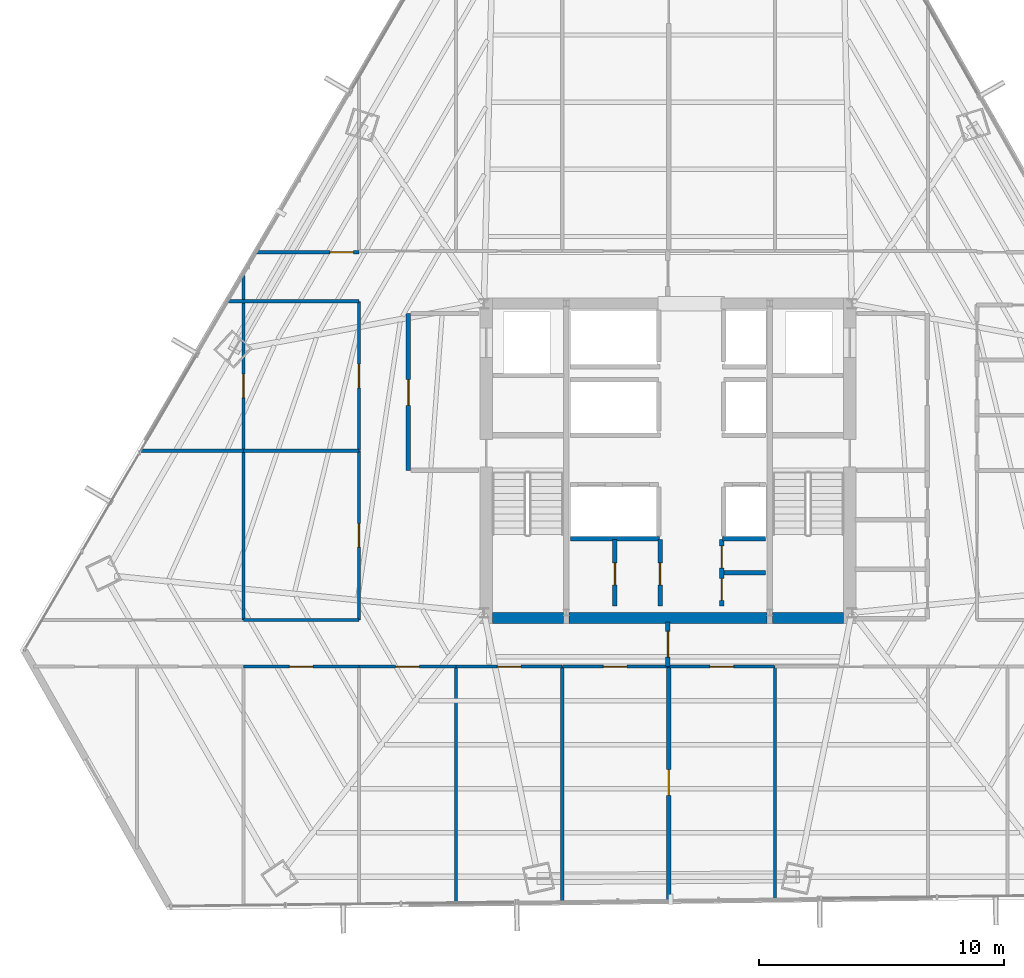
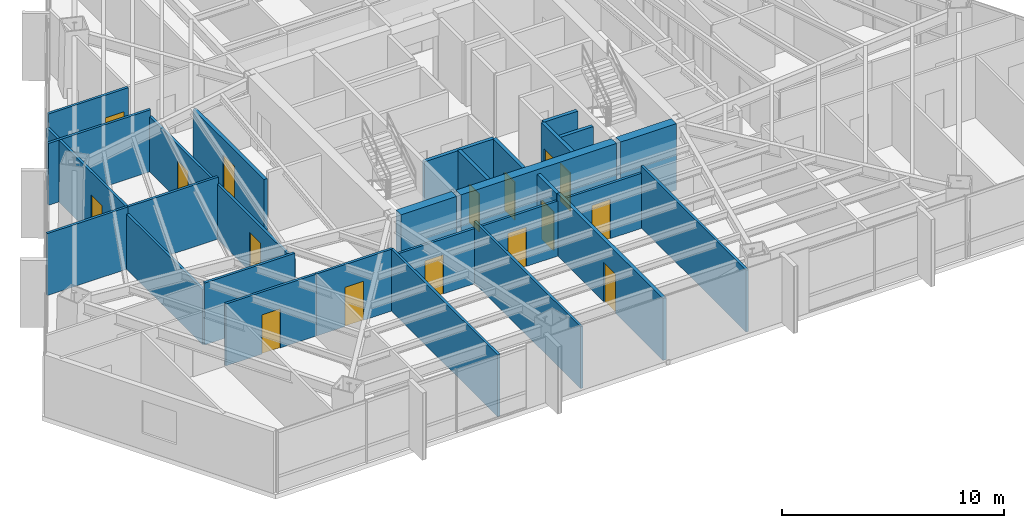
# One storey, part 31 of 37: 29 walls, 16 doors, 16 openings.
"""IFC4 building model written with IfcOpenShell, lengths in metres."""

import ifcopenshell
import ifcopenshell.guid

model = None  # the IFC model being written
_history = None  # IfcOwnerHistory: only IFC2X3 demands one
_inside = {}  # id of a spatial element -> (the spatial element, [elements in it])
_under = {}  # id of a project, library or spatial element -> (it, [spatial elements below it])
_declared = {}  # id of a project -> (the project, [libraries it declares])
_typed = {}  # id of a type object -> (the type object, [elements of that type])
_made_of = {}  # id of a material, layer set ... -> (it, [elements and type objects made of it])


def new_model(schema):
    """Start an empty IFC model of exactly this schema.

    Asked for "IFC4X3", IfcOpenShell would pick the latest addendum, in which some entities
    have other attributes; the version numbers below select the first issue.
    IFC2X3 requires an IfcOwnerHistory on every rooted entity: one is made here for all.
    """
    global model, _history
    if schema == "IFC4X3":
        model = ifcopenshell.file(schema_version=(4, 3, 0, 0))
    else:
        model = ifcopenshell.file(schema=schema)
    _inside.clear()
    _under.clear()
    _declared.clear()
    _typed.clear()
    _made_of.clear()
    _history = None
    if model.schema == "IFC2X3":
        org = make("IfcOrganization", Name="unknown")
        user = make(
            "IfcPersonAndOrganization",
            ThePerson=make("IfcPerson", FamilyName="unknown"),
            TheOrganization=org,
        )
        app = make(
            "IfcApplication",
            ApplicationDeveloper=org,
            Version="unknown",
            ApplicationFullName="unknown",
            ApplicationIdentifier="unknown",
        )
        _history = make(
            "IfcOwnerHistory",
            OwningUser=user,
            OwningApplication=app,
            ChangeAction="ADDED",
            CreationDate=0,
        )
    return model


def make(cls, **values):
    """One entity of the class cls with the attributes given. An attribute that is None is left unset."""
    return model.create_entity(
        cls, **{name: value for name, value in values.items() if value is not None}
    )


def rooted(cls, **values):
    """An entity with a GlobalId (a new one), such as an element, a storey or a relation."""
    return make(cls, GlobalId=ifcopenshell.guid.new(), OwnerHistory=_history, **values)


def si_unit(unit_type, name, prefix=None):
    """IfcSIUnit, for example si_unit("LENGTHUNIT", "METRE", prefix="MILLI")."""
    return make("IfcSIUnit", UnitType=unit_type, Prefix=prefix, Name=name)


def assignment(units):
    """IfcUnitAssignment: the units of a project."""
    return None if units is None else make("IfcUnitAssignment", Units=units)


def point(xyz):
    """IfcCartesianPoint."""
    return None if xyz is None else make("IfcCartesianPoint", Coordinates=xyz)


def direction(xyz):
    """IfcDirection."""
    return None if xyz is None else make("IfcDirection", DirectionRatios=xyz)


def frame(location, z_axis=None, x_axis=None):
    """IfcAxis2Placement3D, a coordinate frame: its origin and axes. An axis left out is left unset."""
    return make(
        "IfcAxis2Placement3D",
        Location=point(location),
        Axis=direction(z_axis),
        RefDirection=direction(x_axis),
    )


def frame_2d(location, x_axis=None):
    """IfcAxis2Placement2D, a coordinate frame in the plane: its origin and x axis."""
    return make(
        "IfcAxis2Placement2D", Location=point(location), RefDirection=direction(x_axis)
    )


def origin():
    """The frame at (0, 0, 0) with its axes left unset."""
    return frame((0.0, 0.0, 0.0))


def place(relative_to, where):
    """IfcLocalPlacement: puts the frame where relative to a parent placement (None: the world)."""
    return make(
        "IfcLocalPlacement", PlacementRelTo=relative_to, RelativePlacement=where
    )


def context(
    kind, dimensions, precision=None, world=None, true_north=None, identifier=None
):
    """IfcGeometricRepresentationContext, for example the 3D "Model" context."""
    return make(
        "IfcGeometricRepresentationContext",
        ContextIdentifier=identifier,
        ContextType=kind,
        CoordinateSpaceDimension=dimensions,
        Precision=precision,
        WorldCoordinateSystem=world,
        TrueNorth=true_north,
    )


def subcontext(parent, identifier, kind, view, scale=None):
    """IfcGeometricRepresentationSubContext, for example "Body" below "Model"."""
    return make(
        "IfcGeometricRepresentationSubContext",
        ContextIdentifier=identifier,
        ContextType=kind,
        ParentContext=parent,
        TargetScale=scale,
        TargetView=view,
    )


def project(units=None, contexts=None):
    """IfcProject with its units and contexts."""
    return rooted(
        "IfcProject",
        Name="project",
        RepresentationContexts=contexts,
        UnitsInContext=assignment(units),
    )


def spatial(cls, under=None, at=None, **own):
    """A site, building, storey or space (cls), placed at a placement, below another one or the project."""
    s = rooted(cls, ObjectPlacement=at, **own)
    if under is not None:
        _under.setdefault(under.id(), (under, []))[1].append(s)
    return s


def profile(cls, at=None, kind="AREA", **sizes):
    """A parametric profile (cls). Its sizes go by their IFC names, for example OverallWidth=200.0."""
    return make(cls, ProfileType=kind, Position=at, **sizes)


def rectangle(**sizes):
    """IfcRectangleProfileDef."""
    return profile("IfcRectangleProfileDef", **sizes)


def extrude(swept, where, along, depth):
    """IfcExtrudedAreaSolid: the profile swept, set in the frame where, extruded along a direction by depth."""
    return make(
        "IfcExtrudedAreaSolid",
        SweptArea=swept,
        Position=where,
        ExtrudedDirection=direction(along),
        Depth=depth,
    )


def shape(context_of_items, identifier, shape_type, items):
    """IfcShapeRepresentation: the items that make up one representation, for example the "Body"."""
    return make(
        "IfcShapeRepresentation",
        ContextOfItems=context_of_items,
        RepresentationIdentifier=identifier,
        RepresentationType=shape_type,
        Items=items,
    )


def material(Name=None, Category=None):
    """IfcMaterial."""
    return make("IfcMaterial", Name=Name, Category=Category)


def layer(
    of_material, thickness, ventilated=None, Name=None, Category=None, Priority=None
):
    """IfcMaterialLayer: one layer of a wall or slab, of a material (None: an air gap)."""
    return make(
        "IfcMaterialLayer",
        Material=of_material,
        LayerThickness=thickness,
        IsVentilated=ventilated,
        Name=Name,
        Category=Category,
        Priority=Priority,
    )


def layer_set(layers, Name=None):
    """IfcMaterialLayerSet."""
    return make("IfcMaterialLayerSet", MaterialLayers=layers, LayerSetName=Name)


def made_of(thing, what):
    """Note that an element or type object is made of a material, layer set ...; save() writes the relation."""
    if what is not None:
        _made_of.setdefault(what.id(), (what, []))[1].append(thing)
    return thing


def type_object(cls, material=None, **own):
    """A type object (cls), such as IfcWallType, which elements share."""
    return made_of(rooted(cls, **own), material)


def element(
    cls,
    number,
    at=None,
    inside=None,
    cuts=None,
    type_object=None,
    material=None,
    context=None,
    identifier="Body",
    shape_type=None,
    held_by="IfcProductDefinitionShape",
    body=None,
    shapes=None,
    **own,
):
    """One element of the class cls, such as IfcWall. Its Tag is "e" and its number.

    at: its placement. inside: the storey or other place that contains it. cuts: it is an
    opening in that element (IfcRelVoidsElement). A single representation is given by context,
    identifier, shape_type and body (its items); several are given by shapes. held_by: the class
    of the entity that holds the representations. save() writes the other relations.
    """
    e = rooted(cls, Tag="e%d" % number, ObjectPlacement=at, **own)
    if body is not None:
        shapes = [shape(context, identifier, shape_type, body)]
    if shapes is not None:
        e.Representation = make(held_by, Representations=shapes)
    if inside is not None:
        _inside.setdefault(inside.id(), (inside, []))[1].append(e)
    if cuts is not None:
        rooted(
            "IfcRelVoidsElement", RelatingBuildingElement=cuts, RelatedOpeningElement=e
        )
    if type_object is not None:
        _typed.setdefault(type_object.id(), (type_object, []))[1].append(e)
    return made_of(e, material)


def fill(opening, filler):
    """IfcRelFillsElement: the door or window that sits in an opening."""
    return rooted(
        "IfcRelFillsElement",
        RelatingOpeningElement=opening,
        RelatedBuildingElement=filler,
    )


def aggregate(whole, parts):
    """IfcRelAggregates: a whole, such as a stair, and the parts it consists of."""
    return rooted("IfcRelAggregates", RelatingObject=whole, RelatedObjects=parts)


def save(model, path):
    """Write the relations noted so far, then the file.

    IfcRelAggregates (storeys below a building ...), IfcRelContainedInSpatialStructure (elements
    in a storey), IfcRelDefinesByType, IfcRelAssociatesMaterial and IfcRelDeclares: one each for
    every whole, place, type object, material and project.
    """
    for whole, parts in _under.values():
        aggregate(whole, parts)
    for where, things in _inside.values():
        rooted(
            "IfcRelContainedInSpatialStructure",
            RelatedElements=things,
            RelatingStructure=where,
        )
    for kind, things in _typed.values():
        rooted("IfcRelDefinesByType", RelatedObjects=things, RelatingType=kind)
    for what, things in _made_of.values():
        rooted("IfcRelAssociatesMaterial", RelatedObjects=things, RelatingMaterial=what)
    for by, libraries in _declared.values():
        rooted("IfcRelDeclares", RelatingContext=by, RelatedDefinitions=libraries)
    model.write(path)


model = new_model("IFC4")

# Units and contexts
model_context = context("Model", 3, precision=1e-05, world=origin(), true_north=direction((0.0, 1.0)))
body_context = subcontext(model_context, "Body", "Model", "MODEL_VIEW")
ifc_project = project(units=[si_unit("LENGTHUNIT", "METRE"), si_unit("AREAUNIT", "SQUARE_METRE"), si_unit("VOLUMEUNIT", "CUBIC_METRE"), si_unit("PLANEANGLEUNIT", "RADIAN"), si_unit("MASSUNIT", "GRAM", prefix="KILO")], contexts=[model_context])

# Site, building, storey
site_placement = place(None, origin())
site = spatial("IfcSite", under=ifc_project, at=site_placement, CompositionType="ELEMENT")
building_placement = place(site_placement, origin())
building = spatial("IfcBuilding", under=site, at=building_placement, Name="Caelisora Broadcast Tower", CompositionType="ELEMENT")
storey_placement = place(building_placement, frame((0.0, 0.0, 116.35009765625)))
storey = spatial("IfcBuildingStorey", under=building, at=storey_placement, Name="L30", CompositionType="ELEMENT", Elevation=116.35009765625)

# Walls
ifc_material_1 = material(Name="Concrete 50 MPa (AS 3600 S50)", Category="concrete")
ifc_layer_1 = layer(ifc_material_1, 0.449951171875, Name="Concrete 50 MPa (AS 3600 S50)")
ifc_layer_set_1 = layer_set([ifc_layer_1], Name="Concrete 50 MPa (AS 3600 S50)")
wall_type_1 = type_object("IfcWallType", Name="CW5", PredefinedType="SHEAR", material=ifc_layer_set_1)
wall_1_placement = place(storey_placement, frame((30.840087890625, 17.175048828125, 0.0), z_axis=(0.0, 0.0, 1.0), x_axis=(1.0, 0.0, 0.0)))
element("IfcWall", 1, at=wall_1_placement, inside=storey, type_object=wall_type_1, Name="L30 core shear wall CW5", PredefinedType="SHEAR", context=body_context, shape_type="SweptSolid", body=[
    extrude(rectangle(XDim=2.89990234375, YDim=0.449951171875, at=frame_2d((1.449951171875, 0.0))), origin(), (0.0, 0.0, 1.0), 3.64990234375),
])
wall_2_placement = place(storey_placement, frame((33.9599609375, 17.175048828125, 0.0), z_axis=(0.0, 0.0, 1.0), x_axis=(1.0, 0.0, 0.0)))
element("IfcWall", 2, at=wall_2_placement, inside=storey, type_object=wall_type_1, Name="L30 core shear wall CW5", PredefinedType="SHEAR", context=body_context, shape_type="SweptSolid", body=[
    extrude(rectangle(XDim=8.080078125, YDim=0.449951171875, at=frame_2d((4.0400390625, 0.0))), origin(), (0.0, 0.0, 1.0), 3.64990234375),
])
wall_3_placement = place(storey_placement, frame((42.260009765625, 17.175048828125, 0.0), z_axis=(0.0, 0.0, 1.0), x_axis=(1.0, 0.0, 0.0)))
element("IfcWall", 3, at=wall_3_placement, inside=storey, type_object=wall_type_1, Name="L30 core shear wall CW5", PredefinedType="SHEAR", context=body_context, shape_type="SweptSolid", body=[
    extrude(rectangle(XDim=2.89990234375, YDim=0.449951171875, at=frame_2d((1.449951171875, 0.0))), origin(), (0.0, 0.0, 1.0), 3.64990234375),
])

# Wall, opening, door
ifc_material_2 = material(Name="Fire-Rated Gypsum Shaft and Compartment Wall", Category="gypsum")
ifc_layer_2 = layer(ifc_material_2, 0.179931640625, Name="Fire-Rated Gypsum Shaft and Compartment Wall")
ifc_layer_set_2 = layer_set([ifc_layer_2], Name="Fire-Rated Gypsum Shaft and Compartment Wall")
wall_type_2 = type_object("IfcWallType", Name="PW2", PredefinedType="PARTITIONING", material=ifc_layer_set_2)
wall_4_placement = place(storey_placement, frame((27.419921875, 23.199951171875, 0.0), z_axis=(0.0, 0.0, 1.0), x_axis=(0.0, 1.0, 0.0)))
wall_4 = element("IfcWall", 4, at=wall_4_placement, inside=storey, type_object=wall_type_2, Name="L30 fire compartment wall PW2", PredefinedType="PARTITIONING", context=body_context, shape_type="SweptSolid", body=[
    extrude(rectangle(XDim=6.400146484375, YDim=0.179931640625, at=frame_2d((3.2001953125, 0.0))), origin(), (0.0, 0.0, 1.0), 3.0263671875),
])
opening_1_placement = place(wall_4_placement, frame((2.64990234375, 0.0, 0.0)))
opening_1 = element("IfcOpeningElement", 5, at=opening_1_placement, cuts=wall_4, Name="Opening FD02", PredefinedType="OPENING", context=body_context, shape_type="SweptSolid", body=[
    extrude(rectangle(XDim=1.050048828125, YDim=2.14990234375, at=frame_2d((0.52490234375, 1.074951171875))), frame((0.0, 0.10205078125, 0.0), z_axis=(0.0, -1.0, 0.0), x_axis=(1.0, 0.0, 0.0)), (0.0, 0.0, 1.0), 0.203857421875),
])
ifc_material_3 = material(Name="Single-Leaf Steel Fire Lobby Door", Category="steel")
door_type_1 = type_object("IfcDoorType", Name="FD02", OperationType="NOTDEFINED", PredefinedType="DOOR", material=ifc_material_3)
door_1_placement = place(opening_1_placement, origin())
door_1 = element("IfcDoor", 6, at=door_1_placement, inside=storey, type_object=door_type_1, Name="L30 door FD02 (L30-DR-P01D1)", OperationType="SINGLE_SWING_LEFT", OverallHeight=2.14990234375, OverallWidth=1.050048828125, PredefinedType="DOOR", context=body_context, shape_type="SweptSolid", body=[
    extrude(rectangle(XDim=1.050048828125, YDim=2.14990234375, at=frame_2d((0.52490234375, 1.074951171875))), frame((0.0, 0.02490234375, 0.0), z_axis=(0.0, -1.0, 0.0), x_axis=(1.0, 0.0, 0.0)), (0.0, 0.0, 1.0), 0.050048828125),
])
fill(opening_1, door_1)

# Walls
wall_5_placement = place(storey_placement, frame((34.02001953125, 20.419921875, 0.0), z_axis=(0.0, 0.0, 1.0), x_axis=(1.0, 0.0, 0.0)))
element("IfcWall", 7, at=wall_5_placement, inside=storey, type_object=wall_type_2, Name="L30 fire compartment wall PW2", PredefinedType="PARTITIONING", context=body_context, shape_type="SweptSolid", body=[
    extrude(rectangle(XDim=3.639892578125, YDim=0.179931640625, at=frame_2d((1.81982421875, 0.0))), origin(), (0.0, 0.0, 1.0), 3.39990234375),
])
wall_6_placement = place(storey_placement, frame((40.219970703125, 20.419921875, 0.0), z_axis=(0.0, 0.0, 1.0), x_axis=(1.0, 0.0, 0.0)))
element("IfcWall", 8, at=wall_6_placement, inside=storey, type_object=wall_type_2, Name="L30 fire compartment wall PW2", PredefinedType="PARTITIONING", context=body_context, shape_type="SweptSolid", body=[
    extrude(rectangle(XDim=1.760009765625, YDim=0.179931640625, at=frame_2d((0.8798828125, 0.0))), origin(), (0.0, 0.0, 1.0), 3.39990234375),
])

# Wall, opening, door
wall_7_placement = place(storey_placement, frame((35.840087890625, 17.679931640625, 0.0), z_axis=(0.0, 0.0, 1.0), x_axis=(0.0, 1.0, 0.0)))
wall_7 = element("IfcWall", 9, at=wall_7_placement, inside=storey, type_object=wall_type_2, Name="L30 fire compartment wall PW2", PredefinedType="PARTITIONING", context=body_context, shape_type="SweptSolid", body=[
    extrude(rectangle(XDim=2.699951171875, YDim=0.179931640625, at=frame_2d((1.35009765625, 0.0))), origin(), (0.0, 0.0, 1.0), 3.39990234375),
])
opening_2_placement = place(wall_7_placement, frame((0.85009765625, 0.0, 0.0)))
opening_2 = element("IfcOpeningElement", 10, at=opening_2_placement, cuts=wall_7, Name="Opening FD03", PredefinedType="OPENING", context=body_context, shape_type="SweptSolid", body=[
    extrude(rectangle(XDim=0.89990234375, YDim=2.10009765625, at=frame_2d((0.449951171875, 1.050048828125))), frame((0.0, 0.10205078125, 0.0), z_axis=(0.0, -1.0, 0.0), x_axis=(1.0, 0.0, 0.0)), (0.0, 0.0, 1.0), 0.203857421875),
])
ifc_material_4 = material(Name="Single-Leaf Steel Riser Fire Access Door", Category="steel")
door_type_2 = type_object("IfcDoorType", Name="FD03", OperationType="NOTDEFINED", PredefinedType="DOOR", material=ifc_material_4)
door_2_placement = place(opening_2_placement, origin())
door_2 = element("IfcDoor", 11, at=door_2_placement, inside=storey, type_object=door_type_2, Name="L30 door FD03 (L30-DR-P11D1)", OperationType="SINGLE_SWING_LEFT", OverallHeight=2.10009765625, OverallWidth=0.89990234375, PredefinedType="DOOR", context=body_context, shape_type="SweptSolid", body=[
    extrude(rectangle(XDim=0.89990234375, YDim=2.10009765625, at=frame_2d((0.449951171875, 1.050048828125))), frame((0.0, 0.02490234375, 0.0), z_axis=(0.0, -1.0, 0.0), x_axis=(1.0, 0.0, 0.0)), (0.0, 0.0, 1.0), 0.050048828125),
])
fill(opening_2, door_2)

wall_8_placement = place(storey_placement, frame((37.679931640625, 17.679931640625, 0.0), z_axis=(0.0, 0.0, 1.0), x_axis=(0.0, 1.0, 0.0)))
wall_8 = element("IfcWall", 12, at=wall_8_placement, inside=storey, type_object=wall_type_2, Name="L30 fire compartment wall PW2", PredefinedType="PARTITIONING", context=body_context, shape_type="SweptSolid", body=[
    extrude(rectangle(XDim=2.699951171875, YDim=0.179931640625, at=frame_2d((1.35009765625, 0.0))), origin(), (0.0, 0.0, 1.0), 3.39990234375),
])
opening_3_placement = place(wall_8_placement, frame((0.85009765625, 0.0, 0.0)))
opening_3 = element("IfcOpeningElement", 13, at=opening_3_placement, cuts=wall_8, Name="Opening FD03", PredefinedType="OPENING", context=body_context, shape_type="SweptSolid", body=[
    extrude(rectangle(XDim=0.89990234375, YDim=2.10009765625, at=frame_2d((0.449951171875, 1.050048828125))), frame((0.0, 0.10205078125, 0.0), z_axis=(0.0, -1.0, 0.0), x_axis=(1.0, 0.0, 0.0)), (0.0, 0.0, 1.0), 0.203857421875),
])
door_3_placement = place(opening_3_placement, origin())
door_3 = element("IfcDoor", 14, at=door_3_placement, inside=storey, type_object=door_type_2, Name="L30 door FD03 (L30-DR-P12D1)", OperationType="SINGLE_SWING_RIGHT", OverallHeight=2.10009765625, OverallWidth=0.89990234375, PredefinedType="DOOR", context=body_context, shape_type="SweptSolid", body=[
    extrude(rectangle(XDim=0.89990234375, YDim=2.10009765625, at=frame_2d((0.449951171875, 1.050048828125))), frame((0.0, 0.02490234375, 0.0), z_axis=(0.0, -1.0, 0.0), x_axis=(1.0, 0.0, 0.0)), (0.0, 0.0, 1.0), 0.050048828125),
])
fill(opening_3, door_3)

# Wall
wall_9_placement = place(storey_placement, frame((40.280029296875, 19.02001953125, 0.0), z_axis=(0.0, 0.0, 1.0), x_axis=(1.0, 0.0, 0.0)))
element("IfcWall", 15, at=wall_9_placement, inside=storey, type_object=wall_type_2, Name="L30 fire compartment wall PW2", PredefinedType="PARTITIONING", context=body_context, shape_type="SweptSolid", body=[
    extrude(rectangle(XDim=1.699951171875, YDim=0.179931640625, at=frame_2d((0.85009765625, 0.0))), origin(), (0.0, 0.0, 1.0), 3.39990234375),
])

# Wall, openings, doors
wall_10_placement = place(storey_placement, frame((40.199951171875, 17.679931640625, 0.0), z_axis=(0.0, 0.0, 1.0), x_axis=(0.0, 1.0, 0.0)))
wall_10 = element("IfcWall", 16, at=wall_10_placement, inside=storey, type_object=wall_type_2, Name="L30 fire compartment wall PW2", PredefinedType="PARTITIONING", context=body_context, shape_type="SweptSolid", body=[
    extrude(rectangle(XDim=2.699951171875, YDim=0.179931640625, at=frame_2d((1.35009765625, 0.0))), origin(), (0.0, 0.0, 1.0), 3.39990234375),
])
opening_4_placement = place(wall_10_placement, frame((0.219970703125, 0.0, 0.0)))
opening_4 = element("IfcOpeningElement", 17, at=opening_4_placement, cuts=wall_10, Name="Opening FD03", PredefinedType="OPENING", context=body_context, shape_type="SweptSolid", body=[
    extrude(rectangle(XDim=0.89990234375, YDim=2.10009765625, at=frame_2d((0.449951171875, 1.050048828125))), frame((0.0, 0.10205078125, 0.0), z_axis=(0.0, -1.0, 0.0), x_axis=(1.0, 0.0, 0.0)), (0.0, 0.0, 1.0), 0.203857421875),
])
opening_5_placement = place(wall_10_placement, frame((1.5400390625, 0.0, 0.0)))
opening_5 = element("IfcOpeningElement", 18, at=opening_5_placement, cuts=wall_10, Name="Opening FD03", PredefinedType="OPENING", context=body_context, shape_type="SweptSolid", body=[
    extrude(rectangle(XDim=0.89990234375, YDim=2.10009765625, at=frame_2d((0.449951171875, 1.050048828125))), frame((0.0, 0.10205078125, 0.0), z_axis=(0.0, -1.0, 0.0), x_axis=(1.0, 0.0, 0.0)), (0.0, 0.0, 1.0), 0.203857421875),
])
door_4_placement = place(opening_4_placement, origin())
door_4 = element("IfcDoor", 19, at=door_4_placement, inside=storey, type_object=door_type_2, Name="L30 door FD03 (L30-DR-P14D1)", OperationType="SINGLE_SWING_LEFT", OverallHeight=2.10009765625, OverallWidth=0.89990234375, PredefinedType="DOOR", context=body_context, shape_type="SweptSolid", body=[
    extrude(rectangle(XDim=0.89990234375, YDim=2.10009765625, at=frame_2d((0.449951171875, 1.050048828125))), frame((0.0, 0.02490234375, 0.0), z_axis=(0.0, -1.0, 0.0), x_axis=(1.0, 0.0, 0.0)), (0.0, 0.0, 1.0), 0.050048828125),
])
fill(opening_4, door_4)
door_5_placement = place(opening_5_placement, origin())
door_5 = element("IfcDoor", 20, at=door_5_placement, inside=storey, type_object=door_type_2, Name="L30 door FD03 (L30-DR-P14D2)", OperationType="SINGLE_SWING_RIGHT", OverallHeight=2.10009765625, OverallWidth=0.89990234375, PredefinedType="DOOR", context=body_context, shape_type="SweptSolid", body=[
    extrude(rectangle(XDim=0.89990234375, YDim=2.10009765625, at=frame_2d((0.449951171875, 1.050048828125))), frame((0.0, 0.02490234375, 0.0), z_axis=(0.0, -1.0, 0.0), x_axis=(1.0, 0.0, 0.0)), (0.0, 0.0, 1.0), 0.050048828125),
])
fill(opening_5, door_5)

# Wall, opening, door
wall_11_placement = place(storey_placement, frame((38.030029296875, 5.672119140625, 0.0), z_axis=(0.0, 0.0, 1.0), x_axis=(0.0, 1.0, 0.0)))
wall_11 = element("IfcWall", 21, at=wall_11_placement, inside=storey, type_object=wall_type_2, Name="L30 fire compartment wall PW2", PredefinedType="PARTITIONING", context=body_context, shape_type="SweptSolid", body=[
    extrude(rectangle(XDim=9.52294921875, YDim=0.179931640625, at=frame_2d((4.761474609375, 0.0))), origin(), (0.0, 0.0, 1.0), 3.39990234375),
])
opening_6_placement = place(wall_11_placement, frame((4.281982421875, 0.0, 0.0)))
opening_6 = element("IfcOpeningElement", 22, at=opening_6_placement, cuts=wall_11, Name="Opening FD02", PredefinedType="OPENING", context=body_context, shape_type="SweptSolid", body=[
    extrude(rectangle(XDim=1.050048828125, YDim=2.14990234375, at=frame_2d((0.52490234375, 1.074951171875))), frame((0.0, 0.10205078125, 0.0), z_axis=(0.0, -1.0, 0.0), x_axis=(1.0, 0.0, 0.0)), (0.0, 0.0, 1.0), 0.203857421875),
])
door_6_placement = place(opening_6_placement, origin())
door_6 = element("IfcDoor", 23, at=door_6_placement, inside=storey, type_object=door_type_1, Name="L30 door FD02 (L30-DR-P40D1)", OperationType="SINGLE_SWING_LEFT", OverallHeight=2.14990234375, OverallWidth=1.050048828125, PredefinedType="DOOR", context=body_context, shape_type="SweptSolid", body=[
    extrude(rectangle(XDim=1.050048828125, YDim=2.14990234375, at=frame_2d((0.52490234375, 1.074951171875))), frame((0.0, 0.02490234375, 0.0), z_axis=(0.0, -1.0, 0.0), x_axis=(1.0, 0.0, 0.0)), (0.0, 0.0, 1.0), 0.050048828125),
])
fill(opening_6, door_6)

wall_12_placement = place(storey_placement, frame((38.0, 15.205078125, 0.0), z_axis=(0.0, 0.0, 1.0), x_axis=(0.0, 1.0, 0.0)))
wall_12 = element("IfcWall", 24, at=wall_12_placement, inside=storey, type_object=wall_type_2, Name="L30 fire compartment wall PW2", PredefinedType="PARTITIONING", context=body_context, shape_type="SweptSolid", body=[
    extrude(rectangle(XDim=1.81982421875, YDim=0.179931640625, at=frame_2d((0.909912109375, 0.0))), origin(), (0.0, 0.0, 1.0), 3.39990234375),
])
opening_7_placement = place(wall_12_placement, frame((0.385009765625, 0.0, 0.0)))
opening_7 = element("IfcOpeningElement", 25, at=opening_7_placement, cuts=wall_12, Name="Opening FD02", PredefinedType="OPENING", context=body_context, shape_type="SweptSolid", body=[
    extrude(rectangle(XDim=1.050048828125, YDim=2.14990234375, at=frame_2d((0.52490234375, 1.074951171875))), frame((0.0, 0.10205078125, 0.0), z_axis=(0.0, -1.0, 0.0), x_axis=(1.0, 0.0, 0.0)), (0.0, 0.0, 1.0), 0.203857421875),
])
door_7_placement = place(opening_7_placement, origin())
door_7 = element("IfcDoor", 26, at=door_7_placement, inside=storey, type_object=door_type_1, Name="L30 door FD02 (L30-DR-P83D1)", OperationType="SINGLE_SWING_LEFT", OverallHeight=2.14990234375, OverallWidth=1.050048828125, PredefinedType="DOOR", context=body_context, shape_type="SweptSolid", body=[
    extrude(rectangle(XDim=1.050048828125, YDim=2.14990234375, at=frame_2d((0.52490234375, 1.074951171875))), frame((0.0, 0.02490234375, 0.0), z_axis=(0.0, -1.0, 0.0), x_axis=(1.0, 0.0, 0.0)), (0.0, 0.0, 1.0), 0.050048828125),
])
fill(opening_7, door_7)

# Walls
ifc_material_5 = material(Name="Acoustic Steel-Stud Plasterboard Partition", Category="gypsum")
ifc_layer_3 = layer(ifc_material_5, 0.1298828125, Name="Acoustic Steel-Stud Plasterboard Partition")
ifc_layer_set_3 = layer_set([ifc_layer_3], Name="Acoustic Steel-Stud Plasterboard Partition")
wall_type_3 = type_object("IfcWallType", Name="PW3", PredefinedType="PARTITIONING", material=ifc_layer_set_3)
wall_13_placement = place(storey_placement, frame((29.360107421875, 5.564697265625, 0.0), z_axis=(0.0, 0.0, 1.0), x_axis=(0.0, 1.0, 0.0)))
element("IfcWall", 27, at=wall_13_placement, inside=storey, type_object=wall_type_3, Name="L30 internal partition PW3", PredefinedType="PARTITIONING", context=body_context, shape_type="SweptSolid", body=[
    extrude(rectangle(XDim=9.63037109375, YDim=0.1298828125, at=frame_2d((4.815185546875, 0.0))), origin(), (0.0, 0.0, 1.0), 3.39990234375),
])
wall_14_placement = place(storey_placement, frame((33.68994140625, 5.618408203125, 0.0), z_axis=(0.0, 0.0, 1.0), x_axis=(0.0, 1.0, 0.0)))
element("IfcWall", 28, at=wall_14_placement, inside=storey, type_object=wall_type_3, Name="L30 internal partition PW3", PredefinedType="PARTITIONING", context=body_context, shape_type="SweptSolid", body=[
    extrude(rectangle(XDim=9.57666015625, YDim=0.1298828125, at=frame_2d((4.788330078125, 0.0))), origin(), (0.0, 0.0, 1.0), 3.39990234375),
])
wall_15_placement = place(storey_placement, frame((42.360107421875, 5.7255859375, 0.0), z_axis=(0.0, 0.0, 1.0), x_axis=(0.0, 1.0, 0.0)))
element("IfcWall", 29, at=wall_15_placement, inside=storey, type_object=wall_type_3, Name="L30 internal partition PW3", PredefinedType="PARTITIONING", context=body_context, shape_type="SweptSolid", body=[
    extrude(rectangle(XDim=9.469482421875, YDim=0.1298828125, at=frame_2d((4.73486328125, 0.0))), origin(), (0.0, 0.0, 1.0), 3.39990234375),
])

# Wall, opening, door
wall_16_placement = place(storey_placement, frame((25.39990234375, 17.10498046875, 0.0), z_axis=(0.0, 0.0, 1.0), x_axis=(0.0, 1.0, 0.0)))
wall_16 = element("IfcWall", 30, at=wall_16_placement, inside=storey, type_object=wall_type_3, Name="L30 internal partition PW3", PredefinedType="PARTITIONING", context=body_context, shape_type="SweptSolid", body=[
    extrude(rectangle(XDim=6.89013671875, YDim=0.1298828125, at=frame_2d((3.445068359375, 0.0))), origin(), (0.0, 0.0, 1.0), 3.0263671875),
])
opening_8_placement = place(wall_16_placement, frame((2.965087890625, 0.0, 0.0)))
opening_8 = element("IfcOpeningElement", 31, at=opening_8_placement, cuts=wall_16, Name="Opening D01", PredefinedType="OPENING", context=body_context, shape_type="SweptSolid", body=[
    extrude(rectangle(XDim=0.9599609375, YDim=2.14990234375, at=frame_2d((0.47998046875, 1.074951171875))), frame((0.0, 0.076904296875, 0.0), z_axis=(0.0, -1.0, 0.0), x_axis=(1.0, 0.0, 0.0)), (0.0, 0.0, 1.0), 0.15380859375),
])
ifc_material_6 = material(Name="Solid-Core Timber Acoustic Office Door", Category="wood")
door_type_3 = type_object("IfcDoorType", Name="D01", OperationType="NOTDEFINED", PredefinedType="DOOR", material=ifc_material_6)
door_8_placement = place(opening_8_placement, origin())
door_8 = element("IfcDoor", 32, at=door_8_placement, inside=storey, type_object=door_type_3, Name="L30 door D01 (L30-DR-P50D1)", OperationType="SINGLE_SWING_RIGHT", OverallHeight=2.14990234375, OverallWidth=0.9599609375, PredefinedType="DOOR", context=body_context, shape_type="SweptSolid", body=[
    extrude(rectangle(XDim=0.9599609375, YDim=2.14990234375, at=frame_2d((0.47998046875, 1.074951171875))), frame((0.0, 0.02490234375, 0.0), z_axis=(0.0, -1.0, 0.0), x_axis=(1.0, 0.0, 0.0)), (0.0, 0.0, 1.0), 0.050048828125),
])
fill(opening_8, door_8)

# Wall
wall_17_placement = place(storey_placement, frame((20.68994140625, 17.10498046875, 0.0), z_axis=(0.0, 0.0, 1.0), x_axis=(0.0, 1.0, 0.0)))
element("IfcWall", 33, at=wall_17_placement, inside=storey, type_object=wall_type_3, Name="L30 internal partition PW3", PredefinedType="PARTITIONING", context=body_context, shape_type="SweptSolid", body=[
    extrude(rectangle(XDim=6.89013671875, YDim=0.1298828125, at=frame_2d((3.445068359375, 0.0))), origin(), (0.0, 0.0, 1.0), 3.0263671875),
])

# Wall, opening, door
wall_18_placement = place(storey_placement, frame((25.39990234375, 24.0048828125, 0.0), z_axis=(0.0, 0.0, 1.0), x_axis=(0.0, 1.0, 0.0)))
wall_18 = element("IfcWall", 34, at=wall_18_placement, inside=storey, type_object=wall_type_3, Name="L30 internal partition PW3", PredefinedType="PARTITIONING", context=body_context, shape_type="SweptSolid", body=[
    extrude(rectangle(XDim=6.090087890625, YDim=0.1298828125, at=frame_2d((3.044921875, 0.0))), origin(), (0.0, 0.0, 1.0), 3.0263671875),
])
opening_9_placement = place(wall_18_placement, frame((2.56494140625, 0.0, 0.0)))
opening_9 = element("IfcOpeningElement", 35, at=opening_9_placement, cuts=wall_18, Name="Opening D01", PredefinedType="OPENING", context=body_context, shape_type="SweptSolid", body=[
    extrude(rectangle(XDim=0.9599609375, YDim=2.14990234375, at=frame_2d((0.47998046875, 1.074951171875))), frame((0.0, 0.076904296875, 0.0), z_axis=(0.0, -1.0, 0.0), x_axis=(1.0, 0.0, 0.0)), (0.0, 0.0, 1.0), 0.15380859375),
])
door_9_placement = place(opening_9_placement, origin())
door_9 = element("IfcDoor", 36, at=door_9_placement, inside=storey, type_object=door_type_3, Name="L30 door D01 (L30-DR-P55D1)", OperationType="SINGLE_SWING_LEFT", OverallHeight=2.14990234375, OverallWidth=0.9599609375, PredefinedType="DOOR", context=body_context, shape_type="SweptSolid", body=[
    extrude(rectangle(XDim=0.9599609375, YDim=2.14990234375, at=frame_2d((0.47998046875, 1.074951171875))), frame((0.0, 0.02490234375, 0.0), z_axis=(0.0, -1.0, 0.0), x_axis=(1.0, 0.0, 0.0)), (0.0, 0.0, 1.0), 0.050048828125),
])
fill(opening_9, door_9)

wall_19_placement = place(storey_placement, frame((20.68994140625, 24.0048828125, 0.0), z_axis=(0.0, 0.0, 1.0), x_axis=(0.0, 1.0, 0.0)))
wall_19 = element("IfcWall", 37, at=wall_19_placement, inside=storey, type_object=wall_type_3, Name="L30 internal partition PW3", PredefinedType="PARTITIONING", context=body_context, shape_type="SweptSolid", body=[
    extrude(rectangle(XDim=7.13720703125, YDim=0.1298828125, at=frame_2d((3.568603515625, 0.0))), origin(), (0.0, 0.0, 1.0), 3.39990234375),
])
opening_10_placement = place(wall_19_placement, frame((2.159912109375, 0.0, 0.0)))
opening_10 = element("IfcOpeningElement", 38, at=opening_10_placement, cuts=wall_19, Name="Opening D01", PredefinedType="OPENING", context=body_context, shape_type="SweptSolid", body=[
    extrude(rectangle(XDim=0.9599609375, YDim=2.14990234375, at=frame_2d((0.47998046875, 1.074951171875))), frame((0.0, 0.076904296875, 0.0), z_axis=(0.0, -1.0, 0.0), x_axis=(1.0, 0.0, 0.0)), (0.0, 0.0, 1.0), 0.15380859375),
])
door_10_placement = place(opening_10_placement, origin())
door_10 = element("IfcDoor", 39, at=door_10_placement, inside=storey, type_object=door_type_3, Name="L30 door D01 (L30-DR-P56D1)", OperationType="SINGLE_SWING_RIGHT", OverallHeight=2.14990234375, OverallWidth=0.9599609375, PredefinedType="DOOR", context=body_context, shape_type="SweptSolid", body=[
    extrude(rectangle(XDim=0.9599609375, YDim=2.14990234375, at=frame_2d((0.47998046875, 1.074951171875))), frame((0.0, 0.02490234375, 0.0), z_axis=(0.0, -1.0, 0.0), x_axis=(1.0, 0.0, 0.0)), (0.0, 0.0, 1.0), 0.050048828125),
])
fill(opening_10, door_10)

# Walls
wall_20_placement = place(storey_placement, frame((20.695068359375, 17.10009765625, 0.0), z_axis=(0.0, 0.0, 1.0), x_axis=(1.0, 0.0, 0.0)))
element("IfcWall", 40, at=wall_20_placement, inside=storey, type_object=wall_type_3, Name="L30 internal partition PW3", PredefinedType="PARTITIONING", context=body_context, shape_type="SweptSolid", body=[
    extrude(rectangle(XDim=4.699951171875, YDim=0.1298828125, at=frame_2d((2.35009765625, 0.0))), origin(), (0.0, 0.0, 1.0), 3.39990234375),
])
wall_21_placement = place(storey_placement, frame((25.39501953125, 30.10009765625, 0.0), z_axis=(0.0, 0.0, 1.0), x_axis=(-1.0, 0.0, 0.0)))
element("IfcWall", 41, at=wall_21_placement, inside=storey, type_object=wall_type_3, Name="L30 internal partition PW3", PredefinedType="PARTITIONING", context=body_context, shape_type="SweptSolid", body=[
    extrude(rectangle(XDim=5.3056640625, YDim=0.1298828125, at=frame_2d((2.65283203125, 0.0))), origin(), (0.0, 0.0, 1.0), 3.39990234375),
])

# Wall, opening, door
wall_22_placement = place(storey_placement, frame((20.695068359375, 15.199951171875, 0.0), z_axis=(0.0, 0.0, 1.0), x_axis=(1.0, 0.0, 0.0)))
wall_22 = element("IfcWall", 42, at=wall_22_placement, inside=storey, type_object=wall_type_3, Name="L30 internal partition PW3", PredefinedType="PARTITIONING", context=body_context, shape_type="SweptSolid", body=[
    extrude(rectangle(XDim=4.699951171875, YDim=0.1298828125, at=frame_2d((2.35009765625, 0.0))), origin(), (0.0, 0.0, 1.0), 3.39990234375),
])
opening_11_placement = place(wall_22_placement, frame((1.8701171875, 0.0, 0.0)))
opening_11 = element("IfcOpeningElement", 43, at=opening_11_placement, cuts=wall_22, Name="Opening D01", PredefinedType="OPENING", context=body_context, shape_type="SweptSolid", body=[
    extrude(rectangle(XDim=0.9599609375, YDim=2.14990234375, at=frame_2d((0.47998046875, 1.074951171875))), frame((0.0, 0.076904296875, 0.0), z_axis=(0.0, -1.0, 0.0), x_axis=(1.0, 0.0, 0.0)), (0.0, 0.0, 1.0), 0.15380859375),
])
door_11_placement = place(opening_11_placement, origin())
door_11 = element("IfcDoor", 44, at=door_11_placement, inside=storey, type_object=door_type_3, Name="L30 door D01 (L30-DR-P61D1)", OperationType="SINGLE_SWING_RIGHT", OverallHeight=2.14990234375, OverallWidth=0.9599609375, PredefinedType="DOOR", context=body_context, shape_type="SweptSolid", body=[
    extrude(rectangle(XDim=0.9599609375, YDim=2.14990234375, at=frame_2d((0.47998046875, 1.074951171875))), frame((0.0, 0.02490234375, 0.0), z_axis=(0.0, -1.0, 0.0), x_axis=(1.0, 0.0, 0.0)), (0.0, 0.0, 1.0), 0.050048828125),
])
fill(opening_11, door_11)

# Wall
wall_23_placement = place(storey_placement, frame((20.695068359375, 24.0, 0.0), z_axis=(0.0, 0.0, 1.0), x_axis=(1.0, 0.0, 0.0)))
element("IfcWall", 45, at=wall_23_placement, inside=storey, type_object=wall_type_3, Name="L30 internal partition PW3", PredefinedType="PARTITIONING", context=body_context, shape_type="SweptSolid", body=[
    extrude(rectangle(XDim=4.699951171875, YDim=0.1298828125, at=frame_2d((2.35009765625, 0.0))), origin(), (0.0, 0.0, 1.0), 3.39990234375),
])

# Wall, opening, door
wall_24_placement = place(storey_placement, frame((29.364990234375, 15.199951171875, 0.0), z_axis=(0.0, 0.0, 1.0), x_axis=(1.0, 0.0, 0.0)))
wall_24 = element("IfcWall", 46, at=wall_24_placement, inside=storey, type_object=wall_type_3, Name="L30 internal partition PW3", PredefinedType="PARTITIONING", context=body_context, shape_type="SweptSolid", body=[
    extrude(rectangle(XDim=4.320068359375, YDim=0.1298828125, at=frame_2d((2.16015625, 0.0))), origin(), (0.0, 0.0, 1.0), 3.0263671875),
])
opening_12_placement = place(wall_24_placement, frame((1.679931640625, 0.0, 0.0)))
opening_12 = element("IfcOpeningElement", 47, at=opening_12_placement, cuts=wall_24, Name="Opening D01", PredefinedType="OPENING", context=body_context, shape_type="SweptSolid", body=[
    extrude(rectangle(XDim=0.9599609375, YDim=2.14990234375, at=frame_2d((0.47998046875, 1.074951171875))), frame((0.0, 0.076904296875, 0.0), z_axis=(0.0, -1.0, 0.0), x_axis=(1.0, 0.0, 0.0)), (0.0, 0.0, 1.0), 0.15380859375),
])
door_12_placement = place(opening_12_placement, origin())
door_12 = element("IfcDoor", 48, at=door_12_placement, inside=storey, type_object=door_type_3, Name="L30 door D01 (L30-DR-P67D1)", OperationType="SINGLE_SWING_LEFT", OverallHeight=2.14990234375, OverallWidth=0.9599609375, PredefinedType="DOOR", context=body_context, shape_type="SweptSolid", body=[
    extrude(rectangle(XDim=0.9599609375, YDim=2.14990234375, at=frame_2d((0.47998046875, 1.074951171875))), frame((0.0, 0.02490234375, 0.0), z_axis=(0.0, -1.0, 0.0), x_axis=(1.0, 0.0, 0.0)), (0.0, 0.0, 1.0), 0.050048828125),
])
fill(opening_12, door_12)

wall_25_placement = place(storey_placement, frame((38.034912109375, 15.199951171875, 0.0), z_axis=(0.0, 0.0, 1.0), x_axis=(1.0, 0.0, 0.0)))
wall_25 = element("IfcWall", 49, at=wall_25_placement, inside=storey, type_object=wall_type_3, Name="L30 internal partition PW3", PredefinedType="PARTITIONING", context=body_context, shape_type="SweptSolid", body=[
    extrude(rectangle(XDim=4.320068359375, YDim=0.1298828125, at=frame_2d((2.16015625, 0.0))), origin(), (0.0, 0.0, 1.0), 3.0263671875),
])
opening_13_placement = place(wall_25_placement, frame((1.679931640625, 0.0, 0.0)))
opening_13 = element("IfcOpeningElement", 50, at=opening_13_placement, cuts=wall_25, Name="Opening D01", PredefinedType="OPENING", context=body_context, shape_type="SweptSolid", body=[
    extrude(rectangle(XDim=0.9599609375, YDim=2.14990234375, at=frame_2d((0.47998046875, 1.074951171875))), frame((0.0, 0.076904296875, 0.0), z_axis=(0.0, -1.0, 0.0), x_axis=(1.0, 0.0, 0.0)), (0.0, 0.0, 1.0), 0.15380859375),
])
door_13_placement = place(opening_13_placement, origin())
door_13 = element("IfcDoor", 51, at=door_13_placement, inside=storey, type_object=door_type_3, Name="L30 door D01 (L30-DR-P69D1)", OperationType="SINGLE_SWING_LEFT", OverallHeight=2.14990234375, OverallWidth=0.9599609375, PredefinedType="DOOR", context=body_context, shape_type="SweptSolid", body=[
    extrude(rectangle(XDim=0.9599609375, YDim=2.14990234375, at=frame_2d((0.47998046875, 1.074951171875))), frame((0.0, 0.02490234375, 0.0), z_axis=(0.0, -1.0, 0.0), x_axis=(1.0, 0.0, 0.0)), (0.0, 0.0, 1.0), 0.050048828125),
])
fill(opening_13, door_13)

wall_26_placement = place(storey_placement, frame((33.695068359375, 15.199951171875, 0.0), z_axis=(0.0, 0.0, 1.0), x_axis=(1.0, 0.0, 0.0)))
wall_26 = element("IfcWall", 52, at=wall_26_placement, inside=storey, type_object=wall_type_3, Name="L30 internal partition PW3", PredefinedType="PARTITIONING", context=body_context, shape_type="SweptSolid", body=[
    extrude(rectangle(XDim=4.300048828125, YDim=0.1298828125, at=frame_2d((2.14990234375, 0.0))), origin(), (0.0, 0.0, 1.0), 3.0263671875),
])
opening_14_placement = place(wall_26_placement, frame((1.669921875, 0.0, 0.0)))
opening_14 = element("IfcOpeningElement", 53, at=opening_14_placement, cuts=wall_26, Name="Opening D01", PredefinedType="OPENING", context=body_context, shape_type="SweptSolid", body=[
    extrude(rectangle(XDim=0.9599609375, YDim=2.14990234375, at=frame_2d((0.47998046875, 1.074951171875))), frame((0.0, 0.076904296875, 0.0), z_axis=(0.0, -1.0, 0.0), x_axis=(1.0, 0.0, 0.0)), (0.0, 0.0, 1.0), 0.15380859375),
])
door_14_placement = place(opening_14_placement, origin())
door_14 = element("IfcDoor", 54, at=door_14_placement, inside=storey, type_object=door_type_3, Name="L30 door D01 (L30-DR-P71D1)", OperationType="SINGLE_SWING_LEFT", OverallHeight=2.14990234375, OverallWidth=0.9599609375, PredefinedType="DOOR", context=body_context, shape_type="SweptSolid", body=[
    extrude(rectangle(XDim=0.9599609375, YDim=2.14990234375, at=frame_2d((0.47998046875, 1.074951171875))), frame((0.0, 0.02490234375, 0.0), z_axis=(0.0, -1.0, 0.0), x_axis=(1.0, 0.0, 0.0)), (0.0, 0.0, 1.0), 0.050048828125),
])
fill(opening_14, door_14)

# Wall
wall_27_placement = place(storey_placement, frame((16.499755859375, 24.0, 0.0), z_axis=(0.0, 0.0, 1.0), x_axis=(1.0, 0.0, 0.0)))
element("IfcWall", 55, at=wall_27_placement, inside=storey, type_object=wall_type_3, Name="L30 internal partition PW3", PredefinedType="PARTITIONING", context=body_context, shape_type="SweptSolid", body=[
    extrude(rectangle(XDim=4.185302734375, YDim=0.1298828125, at=frame_2d((2.0927734375, 0.0))), origin(), (0.0, 0.0, 1.0), 3.39990234375),
])

# Wall, opening, door
wall_28_placement = place(storey_placement, frame((21.232177734375, 32.10009765625, 0.0), z_axis=(0.0, 0.0, 1.0), x_axis=(1.0, 0.0, 0.0)))
wall_28 = element("IfcWall", 56, at=wall_28_placement, inside=storey, type_object=wall_type_3, Name="L30 internal partition PW3", PredefinedType="PARTITIONING", context=body_context, shape_type="SweptSolid", body=[
    extrude(rectangle(XDim=4.162841796875, YDim=0.1298828125, at=frame_2d((2.08154296875, 0.0))), origin(), (0.0, 0.0, 1.0), 3.39990234375),
])
opening_15_placement = place(wall_28_placement, frame((2.98291015625, 0.0, 0.0)))
opening_15 = element("IfcOpeningElement", 57, at=opening_15_placement, cuts=wall_28, Name="Opening D01", PredefinedType="OPENING", context=body_context, shape_type="SweptSolid", body=[
    extrude(rectangle(XDim=0.9599609375, YDim=2.14990234375, at=frame_2d((0.47998046875, 1.074951171875))), frame((0.0, 0.076904296875, 0.0), z_axis=(0.0, -1.0, 0.0), x_axis=(1.0, 0.0, 0.0)), (0.0, 0.0, 1.0), 0.15380859375),
])
door_15_placement = place(opening_15_placement, origin())
door_15 = element("IfcDoor", 58, at=door_15_placement, inside=storey, type_object=door_type_3, Name="L30 door D01 (L30-DR-P74D1)", OperationType="SINGLE_SWING_LEFT", OverallHeight=2.14990234375, OverallWidth=0.9599609375, PredefinedType="DOOR", context=body_context, shape_type="SweptSolid", body=[
    extrude(rectangle(XDim=0.9599609375, YDim=2.14990234375, at=frame_2d((0.47998046875, 1.074951171875))), frame((0.0, 0.02490234375, 0.0), z_axis=(0.0, -1.0, 0.0), x_axis=(1.0, 0.0, 0.0)), (0.0, 0.0, 1.0), 0.050048828125),
])
fill(opening_15, door_15)

wall_29_placement = place(storey_placement, frame((25.405029296875, 15.199951171875, 0.0), z_axis=(0.0, 0.0, 1.0), x_axis=(1.0, 0.0, 0.0)))
wall_29 = element("IfcWall", 59, at=wall_29_placement, inside=storey, type_object=wall_type_3, Name="L30 internal partition PW3", PredefinedType="PARTITIONING", context=body_context, shape_type="SweptSolid", body=[
    extrude(rectangle(XDim=3.949951171875, YDim=0.1298828125, at=frame_2d((1.97509765625, 0.0))), origin(), (0.0, 0.0, 1.0), 3.39990234375),
])
opening_16_placement = place(wall_29_placement, frame((1.4951171875, 0.0, 0.0)))
opening_16 = element("IfcOpeningElement", 60, at=opening_16_placement, cuts=wall_29, Name="Opening D01", PredefinedType="OPENING", context=body_context, shape_type="SweptSolid", body=[
    extrude(rectangle(XDim=0.9599609375, YDim=2.14990234375, at=frame_2d((0.47998046875, 1.074951171875))), frame((0.0, 0.076904296875, 0.0), z_axis=(0.0, -1.0, 0.0), x_axis=(1.0, 0.0, 0.0)), (0.0, 0.0, 1.0), 0.15380859375),
])
door_16_placement = place(opening_16_placement, origin())
door_16 = element("IfcDoor", 61, at=door_16_placement, inside=storey, type_object=door_type_3, Name="L30 door D01 (L30-DR-P76D1)", OperationType="SINGLE_SWING_LEFT", OverallHeight=2.14990234375, OverallWidth=0.9599609375, PredefinedType="DOOR", context=body_context, shape_type="SweptSolid", body=[
    extrude(rectangle(XDim=0.9599609375, YDim=2.14990234375, at=frame_2d((0.47998046875, 1.074951171875))), frame((0.0, 0.02490234375, 0.0), z_axis=(0.0, -1.0, 0.0), x_axis=(1.0, 0.0, 0.0)), (0.0, 0.0, 1.0), 0.050048828125),
])
fill(opening_16, door_16)

save(model, "model.ifc")
